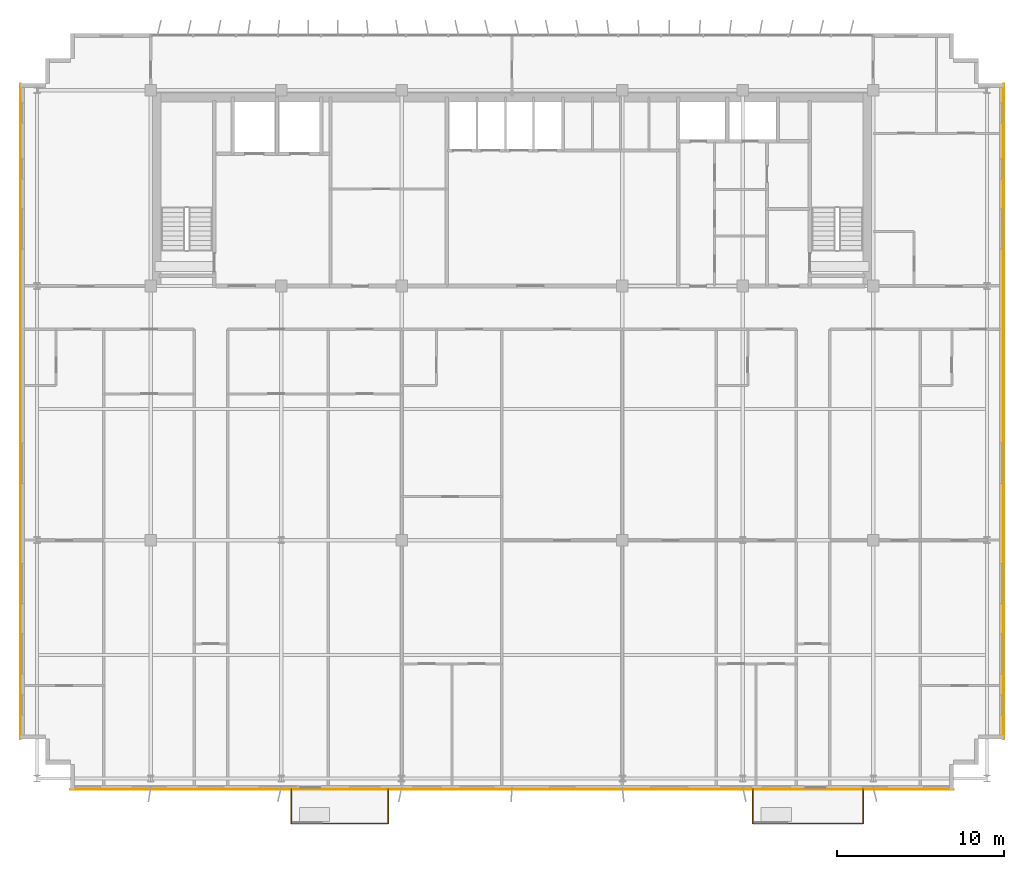
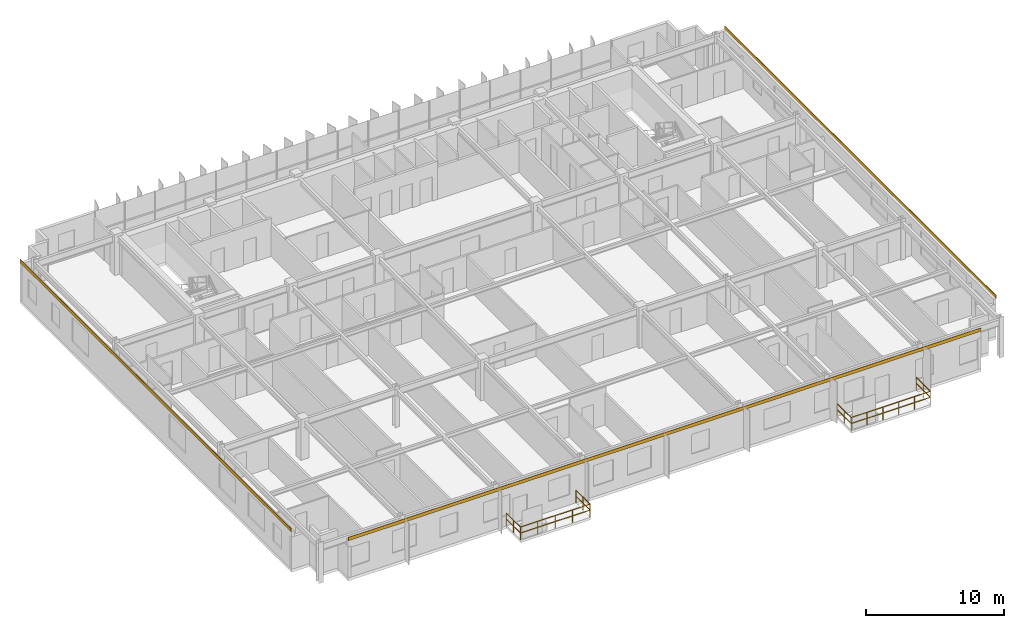
# One storey, part 20 of 21: 6 railings, 3 coverings.
"""IFC4 building model written with IfcOpenShell, lengths in metres."""

from ifc_helpers import new_model, si_unit, direction, frame, origin, origin_2d, place, context, subcontext, project, spatial, rectangle, extrude, source, transform, mapped, material, layer, layer_set, type_object, element, save


model = new_model("IFC4")

# Units and contexts
model_context = context("Model", 3, precision=1e-05, world=origin(), true_north=direction((0.0, 1.0)))
body_context = subcontext(model_context, "Body", "Model", "MODEL_VIEW")
ifc_project = project(units=[si_unit("LENGTHUNIT", "METRE"), si_unit("AREAUNIT", "SQUARE_METRE"), si_unit("VOLUMEUNIT", "CUBIC_METRE"), si_unit("PLANEANGLEUNIT", "RADIAN"), si_unit("MASSUNIT", "GRAM", prefix="KILO")], contexts=[model_context])

# Site, building, storey
site_placement = place(None, origin())
site = spatial("IfcSite", under=ifc_project, at=site_placement, CompositionType="ELEMENT")
building_placement = place(site_placement, origin())
building = spatial("IfcBuilding", under=site, at=building_placement, Name="Trelvane Seafront Commons", CompositionType="ELEMENT")
storey_placement = place(building_placement, frame((0.0, 0.0, 157.300048828125)))
storey = spatial("IfcBuildingStorey", under=building, at=storey_placement, Name="L41", CompositionType="ELEMENT", Elevation=157.300048828125)

# Railings
ifc_material_1 = material(Name="Stainless steel balustrade", Category="steel")
railing_type = type_object("IfcRailingType", Name="ARCH-RAIL-BAL1150", PredefinedType="BALUSTRADE", material=ifc_material_1)
railing_1_placement = place(storey_placement, frame((24.0, 3.300048828125, 0.0)))
element("IfcRailing", 1, at=railing_1_placement, inside=storey, type_object=railing_type, Name="RL-L41-BAL0-01", PredefinedType="BALUSTRADE", context=body_context, shape_type="SweptSolid", body=[
    extrude(rectangle(XDim=0.048095703125, YDim=0.048095703125, at=origin_2d()), frame((0.0, 0.0, 1.1259765625), z_axis=(0.0, -1.0, 0.0), x_axis=(1.0, 0.0, 0.0)), (0.0, 0.0, 1.0), 2.0400390625),
    extrude(rectangle(XDim=0.048095703125, YDim=0.048095703125, at=origin_2d()), frame((0.0, 0.0, 0.597900390625), z_axis=(0.0, -1.0, 0.0), x_axis=(1.0, 0.0, 0.0)), (0.0, 0.0, 1.0), 2.0400390625),
    extrude(rectangle(XDim=0.0419921875, YDim=0.0419921875, at=origin_2d()), origin(), (0.0, 0.0, 1.0), 1.1259765625),
    extrude(rectangle(XDim=0.0419921875, YDim=0.0419921875, at=origin_2d()), frame((0.0, -1.02001953125, 0.0)), (0.0, 0.0, 1.0), 1.1259765625),
    extrude(rectangle(XDim=0.0419921875, YDim=0.0419921875, at=origin_2d()), frame((0.0, -2.0400390625, 0.0)), (0.0, 0.0, 1.0), 1.1259765625),
])
railing_2_placement = place(storey_placement, frame((24.0, 1.260009765625, 0.0)))
element("IfcRailing", 2, at=railing_2_placement, inside=storey, type_object=railing_type, Name="RL-L41-BAL0-02", PredefinedType="BALUSTRADE", context=body_context, shape_type="SweptSolid", body=[
    extrude(rectangle(XDim=0.048095703125, YDim=0.048095703125, at=origin_2d()), frame((0.0, 0.0, 1.1259765625), z_axis=(1.0, 0.0, 0.0), x_axis=(0.0, 1.0, 0.0)), (0.0, 0.0, 1.0), 5.800048828125),
    extrude(rectangle(XDim=0.048095703125, YDim=0.048095703125, at=origin_2d()), frame((0.0, 0.0, 0.597900390625), z_axis=(1.0, 0.0, 0.0), x_axis=(0.0, 1.0, 0.0)), (0.0, 0.0, 1.0), 5.800048828125),
    extrude(rectangle(XDim=0.0419921875, YDim=0.0419921875, at=origin_2d()), origin(), (0.0, 0.0, 1.0), 1.1259765625),
    extrude(rectangle(XDim=0.0419921875, YDim=0.0419921875, at=origin_2d()), frame((1.449951171875, 0.0, 0.0)), (0.0, 0.0, 1.0), 1.1259765625),
    extrude(rectangle(XDim=0.0419921875, YDim=0.0419921875, at=origin_2d()), frame((2.89990234375, 0.0, 0.0)), (0.0, 0.0, 1.0), 1.1259765625),
    extrude(rectangle(XDim=0.0419921875, YDim=0.0419921875, at=origin_2d()), frame((4.35009765625, 0.0, 0.0)), (0.0, 0.0, 1.0), 1.1259765625),
    extrude(rectangle(XDim=0.0419921875, YDim=0.0419921875, at=origin_2d()), frame((5.800048828125, 0.0, 0.0)), (0.0, 0.0, 1.0), 1.1259765625),
])
railing_3_placement = place(storey_placement, frame((29.800048828125, 1.260009765625, 0.0)))
element("IfcRailing", 3, at=railing_3_placement, inside=storey, type_object=railing_type, Name="RL-L41-BAL0-03", PredefinedType="BALUSTRADE", context=body_context, shape_type="SweptSolid", body=[
    extrude(rectangle(XDim=0.048095703125, YDim=0.048095703125, at=origin_2d()), frame((0.0, 0.0, 1.1259765625), z_axis=(0.0, 1.0, 0.0), x_axis=(-1.0, 0.0, 0.0)), (0.0, 0.0, 1.0), 2.0400390625),
    extrude(rectangle(XDim=0.048095703125, YDim=0.048095703125, at=origin_2d()), frame((0.0, 0.0, 0.597900390625), z_axis=(0.0, 1.0, 0.0), x_axis=(-1.0, 0.0, 0.0)), (0.0, 0.0, 1.0), 2.0400390625),
    extrude(rectangle(XDim=0.0419921875, YDim=0.0419921875, at=origin_2d()), origin(), (0.0, 0.0, 1.0), 1.1259765625),
    extrude(rectangle(XDim=0.0419921875, YDim=0.0419921875, at=origin_2d()), frame((0.0, 1.02001953125, 0.0)), (0.0, 0.0, 1.0), 1.1259765625),
    extrude(rectangle(XDim=0.0419921875, YDim=0.0419921875, at=origin_2d()), frame((0.0, 2.0400390625, 0.0)), (0.0, 0.0, 1.0), 1.1259765625),
])
railing_4_placement = place(storey_placement, frame((51.60009765625, 3.300048828125, 0.0)))
element("IfcRailing", 4, at=railing_4_placement, inside=storey, type_object=railing_type, Name="RL-L41-BAL1-01", PredefinedType="BALUSTRADE", context=body_context, shape_type="SweptSolid", body=[
    extrude(rectangle(XDim=0.048095703125, YDim=0.048095703125, at=origin_2d()), frame((0.0, 0.0, 1.1259765625), z_axis=(0.0, -1.0, 0.0), x_axis=(1.0, 0.0, 0.0)), (0.0, 0.0, 1.0), 2.0400390625),
    extrude(rectangle(XDim=0.048095703125, YDim=0.048095703125, at=origin_2d()), frame((0.0, 0.0, 0.597900390625), z_axis=(0.0, -1.0, 0.0), x_axis=(1.0, 0.0, 0.0)), (0.0, 0.0, 1.0), 2.0400390625),
    extrude(rectangle(XDim=0.0419921875, YDim=0.0419921875, at=origin_2d()), origin(), (0.0, 0.0, 1.0), 1.1259765625),
    extrude(rectangle(XDim=0.0419921875, YDim=0.0419921875, at=origin_2d()), frame((0.0, -1.02001953125, 0.0)), (0.0, 0.0, 1.0), 1.1259765625),
    extrude(rectangle(XDim=0.0419921875, YDim=0.0419921875, at=origin_2d()), frame((0.0, -2.0400390625, 0.0)), (0.0, 0.0, 1.0), 1.1259765625),
])
railing_5_placement = place(storey_placement, frame((51.60009765625, 1.260009765625, 0.0)))
element("IfcRailing", 5, at=railing_5_placement, inside=storey, type_object=railing_type, Name="RL-L41-BAL1-02", PredefinedType="BALUSTRADE", context=body_context, shape_type="SweptSolid", body=[
    extrude(rectangle(XDim=0.048095703125, YDim=0.048095703125, at=origin_2d()), frame((0.0, 0.0, 1.1259765625), z_axis=(1.0, 0.0, 0.0), x_axis=(0.0, 1.0, 0.0)), (0.0, 0.0, 1.0), 6.599853515625),
    extrude(rectangle(XDim=0.048095703125, YDim=0.048095703125, at=origin_2d()), frame((0.0, 0.0, 0.597900390625), z_axis=(1.0, 0.0, 0.0), x_axis=(0.0, 1.0, 0.0)), (0.0, 0.0, 1.0), 6.599853515625),
    extrude(rectangle(XDim=0.0419921875, YDim=0.0419921875, at=origin_2d()), origin(), (0.0, 0.0, 1.0), 1.1259765625),
    extrude(rectangle(XDim=0.0419921875, YDim=0.0419921875, at=origin_2d()), frame((1.320068359375, 0.0, 0.0)), (0.0, 0.0, 1.0), 1.1259765625),
    extrude(rectangle(XDim=0.0419921875, YDim=0.0419921875, at=origin_2d()), frame((2.639892578125, 0.0, 0.0)), (0.0, 0.0, 1.0), 1.1259765625),
    extrude(rectangle(XDim=0.0419921875, YDim=0.0419921875, at=origin_2d()), frame((3.9599609375, 0.0, 0.0)), (0.0, 0.0, 1.0), 1.1259765625),
    extrude(rectangle(XDim=0.0419921875, YDim=0.0419921875, at=origin_2d()), frame((5.27978515625, 0.0, 0.0)), (0.0, 0.0, 1.0), 1.1259765625),
    extrude(rectangle(XDim=0.0419921875, YDim=0.0419921875, at=origin_2d()), frame((6.599853515625, 0.0, 0.0)), (0.0, 0.0, 1.0), 1.1259765625),
])
railing_6_placement = place(storey_placement, frame((58.199951171875, 1.260009765625, 0.0)))
element("IfcRailing", 6, at=railing_6_placement, inside=storey, type_object=railing_type, Name="RL-L41-BAL1-03", PredefinedType="BALUSTRADE", context=body_context, shape_type="SweptSolid", body=[
    extrude(rectangle(XDim=0.048095703125, YDim=0.048095703125, at=origin_2d()), frame((0.0, 0.0, 1.1259765625), z_axis=(0.0, 1.0, 0.0), x_axis=(-1.0, 0.0, 0.0)), (0.0, 0.0, 1.0), 2.0400390625),
    extrude(rectangle(XDim=0.048095703125, YDim=0.048095703125, at=origin_2d()), frame((0.0, 0.0, 0.597900390625), z_axis=(0.0, 1.0, 0.0), x_axis=(-1.0, 0.0, 0.0)), (0.0, 0.0, 1.0), 2.0400390625),
    extrude(rectangle(XDim=0.0419921875, YDim=0.0419921875, at=origin_2d()), origin(), (0.0, 0.0, 1.0), 1.1259765625),
    extrude(rectangle(XDim=0.0419921875, YDim=0.0419921875, at=origin_2d()), frame((0.0, 1.02001953125, 0.0)), (0.0, 0.0, 1.0), 1.1259765625),
    extrude(rectangle(XDim=0.0419921875, YDim=0.0419921875, at=origin_2d()), frame((0.0, 2.0400390625, 0.0)), (0.0, 0.0, 1.0), 1.1259765625),
])

# Coverings
ifc_material_2 = material(Name="Anodised pale-silver aluminium", Category="aluminium")
ifc_layer = layer(ifc_material_2, 0.034912109375, Name="ARCH-COV-CLAD35")
ifc_layer_set = layer_set([ifc_layer], Name="Anodised pale-silver aluminium")
covering_type = type_object("IfcCoveringType", Name="ARCH-COV-CLAD35", PredefinedType="CLADDING", material=ifc_layer_set)
shared_shape_1 = source(origin(), body_context, "Body", "SweptSolid", [
    extrude(rectangle(XDim=39.199951171875, YDim=0.034912109375, at=origin_2d()), origin(), (0.0, 0.0, 1.0), 0.2900390625),
])
for number, where, z_axis, x_axis, name in (
    (7, (7.800048828125, 25.89990234375, 3.309814453125), (0.0, 0.0, 1.0), (0.0, 1.0, 0.0), "CLD-L41-00164"),
    (8, (66.60009765625, 25.89990234375, 3.309814453125), (0.0, 0.0, 1.0), (0.0, -1.0, 0.0), "CLD-L41-00165"),
):
    element("IfcCovering", number, at=place(storey_placement, frame(where, z_axis=z_axis, x_axis=x_axis)), inside=storey, type_object=covering_type, Name=name, PredefinedType="CLADDING", context=body_context, shape_type="MappedRepresentation", body=[
        mapped(shared_shape_1, transform((0.0, 0.0, 0.0), x_axis=(1.0, 0.0, 0.0), y_axis=(0.0, 1.0, 0.0), z_axis=(0.0, 0.0, 1.0), scale=1.0)),
    ])
shared_shape_2 = source(origin(), body_context, "Body", "SweptSolid", [
    extrude(rectangle(XDim=52.800048828125, YDim=0.034912109375, at=origin_2d()), origin(), (0.0, 0.0, 1.0), 0.2900390625),
])
covering_placement = place(storey_placement, frame((37.199951171875, 3.300048828125, 3.309814453125), z_axis=(0.0, 0.0, 1.0), x_axis=(-1.0, 0.0, 0.0)))
element("IfcCovering", 9, at=covering_placement, inside=storey, type_object=covering_type, Name="CLD-L41-00166", PredefinedType="CLADDING", context=body_context, shape_type="MappedRepresentation", body=[
    mapped(shared_shape_2, transform((0.0, 0.0, 0.0), x_axis=(1.0, 0.0, 0.0), y_axis=(0.0, 1.0, 0.0), z_axis=(0.0, 0.0, 1.0), scale=1.0)),
])

save(model, "model.ifc")
